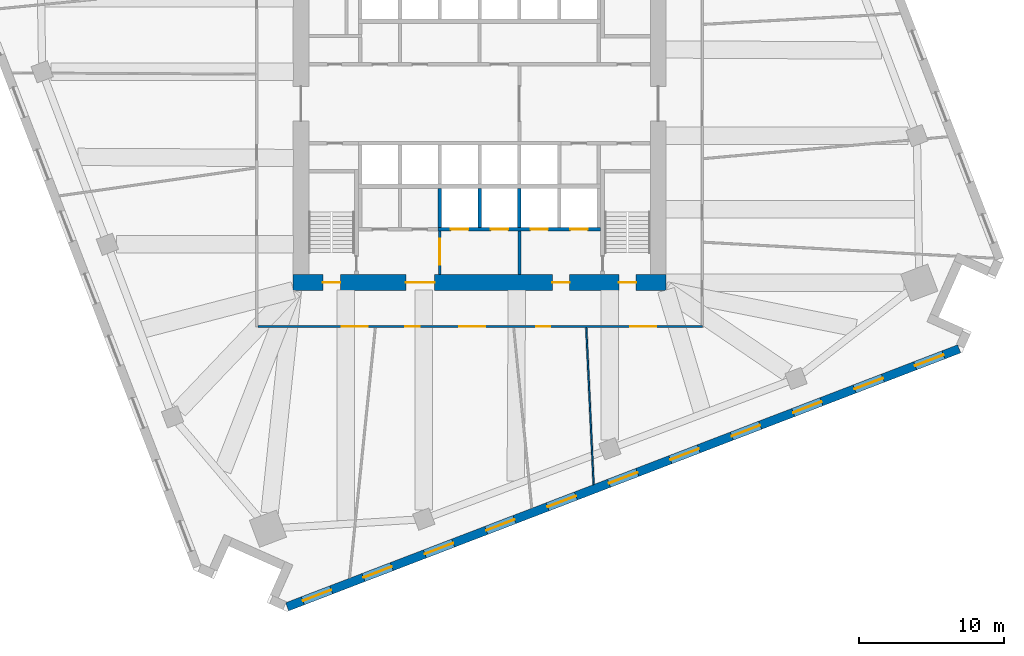
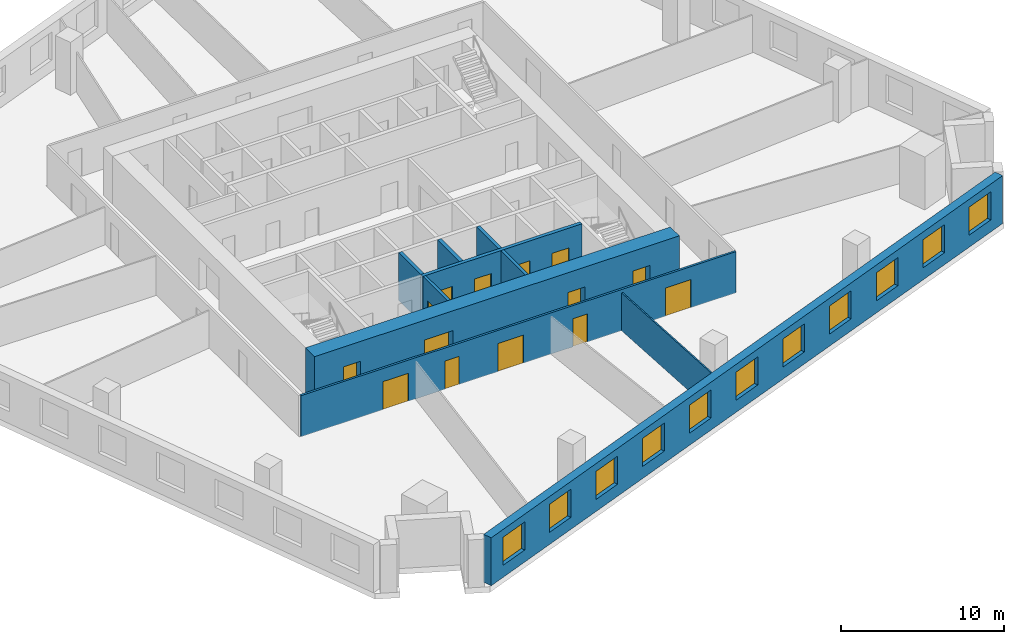
# One storey, part 8 of 14: 14 doors, 11 windows, 10 walls, 25 openings.
"""IFC4 building model written with IfcOpenShell, lengths in metres."""

from ifc_helpers import new_model, si_unit, direction, frame, frame_2d, origin, place, context, subcontext, project, spatial, rectangle, extrude, material, layer, layer_set, type_object, element, fill, save


model = new_model("IFC4")

# Units and contexts
model_context = context("Model", 3, precision=1e-05, world=origin(), true_north=direction((0.0, 1.0)))
body_context = subcontext(model_context, "Body", "Model", "MODEL_VIEW")
ifc_project = project(units=[si_unit("LENGTHUNIT", "METRE"), si_unit("AREAUNIT", "SQUARE_METRE"), si_unit("VOLUMEUNIT", "CUBIC_METRE"), si_unit("PLANEANGLEUNIT", "RADIAN"), si_unit("MASSUNIT", "GRAM", prefix="KILO")], contexts=[model_context])

# Site, building, storey
site_placement = place(None, origin())
site = spatial("IfcSite", under=ifc_project, at=site_placement, CompositionType="ELEMENT")
building_placement = place(site_placement, origin())
building = spatial("IfcBuilding", under=site, at=building_placement, Name="Dilmun Exchange Tower", CompositionType="ELEMENT")
storey_placement = place(building_placement, frame((0.0, 0.0, 102.10009765625)))
storey = spatial("IfcBuildingStorey", under=building, at=storey_placement, Name="L23", CompositionType="ELEMENT", Elevation=102.10009765625)

# Wall, opening, door
ifc_material_1 = material(Name="Concrete C40/50", Category="concrete")
ifc_layer_1 = layer(ifc_material_1, 0.199951171875)
ifc_layer_set_1 = layer_set([ifc_layer_1], Name="Concrete C40/50")
wall_type_1 = type_object("IfcWallType", Name="Core partition wall 200", PredefinedType="PARTITIONING", material=ifc_layer_set_1)
wall_1_placement = place(storey_placement, frame((-2.75, -11.794921875, 0.0), z_axis=(0.0, 0.0, 1.0), x_axis=(0.0, 1.0, 0.0)))
wall_1 = element("IfcWall", 1, at=wall_1_placement, inside=storey, type_object=wall_type_1, Name="L23 core partition wall 01", PredefinedType="PARTITIONING", context=body_context, shape_type="SweptSolid", body=[
    extrude(rectangle(XDim=2.989990234375, YDim=0.199951171875, at=frame_2d((1.4951171875, 0.0))), origin(), (0.0, 0.0, 1.0), 3.579833984375),
])
opening_1_placement = place(wall_1_placement, frame((0.657470703125, 0.0, 0.0)))
opening_1 = element("IfcOpeningElement", 2, at=opening_1_placement, cuts=wall_1, Name="Opening CD5", PredefinedType="OPENING", context=body_context, shape_type="SweptSolid", body=[
    extrude(rectangle(XDim=1.800048828125, YDim=2.10009765625, at=frame_2d((0.89990234375, 1.050048828125))), frame((0.0, 0.10986328125, 0.0), z_axis=(0.0, -1.0, 0.0), x_axis=(1.0, 0.0, 0.0)), (0.0, 0.0, 1.0), 0.219970703125),
])
ifc_material_2 = material(Name="Fire-rated steel door set", Category="steel")
door_type_1 = type_object("IfcDoorType", Name="Stair exit door 1800x2100", OperationType="SINGLE_SWING_LEFT", PredefinedType="DOOR", material=ifc_material_2)
door_1_placement = place(opening_1_placement, origin())
door_1 = element("IfcDoor", 3, at=door_1_placement, inside=storey, type_object=door_type_1, Name="L23 door Service lobby east", OperationType="SINGLE_SWING_LEFT", OverallHeight=2.10009765625, OverallWidth=1.800048828125, PredefinedType="DOOR", context=body_context, shape_type="SweptSolid", body=[
    extrude(rectangle(XDim=1.800048828125, YDim=2.10009765625, at=frame_2d((0.89990234375, 1.050048828125))), frame((0.0, 0.02490234375, 0.0), z_axis=(0.0, -1.0, 0.0), x_axis=(1.0, 0.0, 0.0)), (0.0, 0.0, 1.0), 0.050048828125),
])
fill(opening_1, door_1)

# Wall
wall_2_placement = place(storey_placement, frame((2.75, -11.794921875, 0.0), z_axis=(0.0, 0.0, 1.0), x_axis=(0.0, 1.0, 0.0)))
element("IfcWall", 4, at=wall_2_placement, inside=storey, type_object=wall_type_1, Name="L23 core partition wall 02", PredefinedType="PARTITIONING", context=body_context, shape_type="SweptSolid", body=[
    extrude(rectangle(XDim=2.989990234375, YDim=0.199951171875, at=frame_2d((1.4951171875, 0.0))), origin(), (0.0, 0.0, 1.0), 3.579833984375),
])

# Wall, openings, doors
ifc_material_3 = material(Name="Concrete C80/95", Category="concrete")
ifc_layer_2 = layer(ifc_material_3, 1.10009765625)
ifc_layer_set_2 = layer_set([ifc_layer_2], Name="Concrete C80/95")
wall_type_2 = type_object("IfcWallType", Name="Core shear wall 1100 Concrete C80/95", PredefinedType="SHEAR", material=ifc_layer_set_2)
wall_3_placement = place(storey_placement, frame((-12.89990234375, -12.35009765625, 0.0), z_axis=(0.0, 0.0, 1.0), x_axis=(1.0, 0.0, 0.0)))
wall_3 = element("IfcWall", 5, at=wall_3_placement, inside=storey, type_object=wall_type_2, Name="L23 core shear wall S", PredefinedType="SHEAR", context=body_context, shape_type="SweptSolid", body=[
    extrude(rectangle(XDim=25.7998046875, YDim=1.10009765625, at=frame_2d((12.89990234375, 0.0))), origin(), (0.0, 0.0, 1.0), 3.579833984375),
])
opening_2_placement = place(wall_3_placement, frame((7.800048828125, 0.0, 0.0)))
opening_2 = element("IfcOpeningElement", 6, at=opening_2_placement, cuts=wall_3, Name="Opening CD2", PredefinedType="OPENING", context=body_context, shape_type="SweptSolid", body=[
    extrude(rectangle(XDim=2.0, YDim=2.10009765625, at=frame_2d((1.0, 1.050048828125))), frame((0.0, 0.56005859375, 0.0), z_axis=(0.0, -1.0, 0.0), x_axis=(1.0, 0.0, 0.0)), (0.0, 0.0, 1.0), 1.1201171875),
])
opening_3_placement = place(wall_3_placement, frame((17.925048828125, 0.0, 0.0)))
opening_3 = element("IfcOpeningElement", 7, at=opening_3_placement, cuts=wall_3, Name="Opening CD3", PredefinedType="OPENING", context=body_context, shape_type="SweptSolid", body=[
    extrude(rectangle(XDim=1.199951171875, YDim=2.10009765625, at=frame_2d((0.60009765625, 1.050048828125))), frame((0.0, 0.56005859375, 0.0), z_axis=(0.0, -1.0, 0.0), x_axis=(1.0, 0.0, 0.0)), (0.0, 0.0, 1.0), 1.1201171875),
])
opening_4_placement = place(wall_3_placement, frame((2.074951171875, 0.0, 0.0)))
opening_4 = element("IfcOpeningElement", 8, at=opening_4_placement, cuts=wall_3, Name="Opening CD3", PredefinedType="OPENING", context=body_context, shape_type="SweptSolid", body=[
    extrude(rectangle(XDim=1.199951171875, YDim=2.10009765625, at=frame_2d((0.60009765625, 1.050048828125))), frame((0.0, 0.56005859375, 0.0), z_axis=(0.0, -1.0, 0.0), x_axis=(1.0, 0.0, 0.0)), (0.0, 0.0, 1.0), 1.1201171875),
])
opening_5_placement = place(wall_3_placement, frame((22.52490234375, 0.0, 0.0)))
opening_5 = element("IfcOpeningElement", 9, at=opening_5_placement, cuts=wall_3, Name="Opening CD3", PredefinedType="OPENING", context=body_context, shape_type="SweptSolid", body=[
    extrude(rectangle(XDim=1.199951171875, YDim=2.10009765625, at=frame_2d((0.60009765625, 1.050048828125))), frame((0.0, 0.56005859375, 0.0), z_axis=(0.0, -1.0, 0.0), x_axis=(1.0, 0.0, 0.0)), (0.0, 0.0, 1.0), 1.1201171875),
])
door_type_2 = type_object("IfcDoorType", Name="Core service door 2000x2100", OperationType="DOUBLE_DOOR_DOUBLE_SWING", PredefinedType="DOOR", material=ifc_material_2)
door_2_placement = place(opening_2_placement, origin())
door_2 = element("IfcDoor", 10, at=door_2_placement, inside=storey, type_object=door_type_2, Name="L23 door South service lobby", OperationType="SINGLE_SWING_LEFT", OverallHeight=2.10009765625, OverallWidth=2.0, PredefinedType="DOOR", context=body_context, shape_type="SweptSolid", body=[
    extrude(rectangle(XDim=2.0, YDim=2.10009765625, at=frame_2d((1.0, 1.050048828125))), frame((0.0, 0.02490234375, 0.0), z_axis=(0.0, -1.0, 0.0), x_axis=(1.0, 0.0, 0.0)), (0.0, 0.0, 1.0), 0.050048828125),
])
fill(opening_2, door_2)
door_type_3 = type_object("IfcDoorType", Name="Stair exit door 1200x2100", OperationType="SINGLE_SWING_LEFT", PredefinedType="DOOR", material=ifc_material_2)
door_3_placement = place(opening_3_placement, origin())
door_3 = element("IfcDoor", 11, at=door_3_placement, inside=storey, type_object=door_type_3, Name="L23 door Fire-fighting lobby", OperationType="SINGLE_SWING_LEFT", OverallHeight=2.10009765625, OverallWidth=1.199951171875, PredefinedType="DOOR", context=body_context, shape_type="SweptSolid", body=[
    extrude(rectangle(XDim=1.199951171875, YDim=2.10009765625, at=frame_2d((0.60009765625, 1.050048828125))), frame((0.0, 0.02490234375, 0.0), z_axis=(0.0, -1.0, 0.0), x_axis=(1.0, 0.0, 0.0)), (0.0, 0.0, 1.0), 0.050048828125),
])
fill(opening_3, door_3)
door_4_placement = place(opening_4_placement, origin())
door_4 = element("IfcDoor", 12, at=door_4_placement, inside=storey, type_object=door_type_3, Name="L23 door Stair ST2", OperationType="SINGLE_SWING_LEFT", OverallHeight=2.10009765625, OverallWidth=1.199951171875, PredefinedType="DOOR", context=body_context, shape_type="SweptSolid", body=[
    extrude(rectangle(XDim=1.199951171875, YDim=2.10009765625, at=frame_2d((0.60009765625, 1.050048828125))), frame((0.0, 0.02490234375, 0.0), z_axis=(0.0, -1.0, 0.0), x_axis=(1.0, 0.0, 0.0)), (0.0, 0.0, 1.0), 0.050048828125),
])
fill(opening_4, door_4)
door_5_placement = place(opening_5_placement, origin())
door_5 = element("IfcDoor", 13, at=door_5_placement, inside=storey, type_object=door_type_3, Name="L23 door Stair ST3", OperationType="SINGLE_SWING_LEFT", OverallHeight=2.10009765625, OverallWidth=1.199951171875, PredefinedType="DOOR", context=body_context, shape_type="SweptSolid", body=[
    extrude(rectangle(XDim=1.199951171875, YDim=2.10009765625, at=frame_2d((0.60009765625, 1.050048828125))), frame((0.0, 0.02490234375, 0.0), z_axis=(0.0, -1.0, 0.0), x_axis=(1.0, 0.0, 0.0)), (0.0, 0.0, 1.0), 0.050048828125),
])
fill(opening_5, door_5)

ifc_material_4 = material(Name="Corridor wall 150")
ifc_layer_3 = layer(ifc_material_4, 0.14990234375)
ifc_layer_set_3 = layer_set([ifc_layer_3], Name="Corridor wall 150")
wall_type_3 = type_object("IfcWallType", Name="Corridor wall 150", PredefinedType="PARTITIONING", material=ifc_layer_set_3)
wall_4_placement = place(storey_placement, frame((-15.324951171875, -15.39990234375, 0.0), z_axis=(0.0, 0.0, 1.0), x_axis=(1.0, 0.0, 0.0)))
wall_4 = element("IfcWall", 14, at=wall_4_placement, inside=storey, type_object=wall_type_3, Name="Corridor wall", PredefinedType="PARTITIONING", context=body_context, shape_type="SweptSolid", body=[
    extrude(rectangle(XDim=30.724853515625, YDim=0.14990234375, at=frame_2d((15.3623046875, 0.0))), origin(), (0.0, 0.0, 1.0), 3.079833984375),
])
opening_6_placement = place(wall_4_placement, frame((5.800048828125, 0.0, 0.0)))
opening_6 = element("IfcOpeningElement", 15, at=opening_6_placement, cuts=wall_4, Name="Opening TF23-D05", PredefinedType="OPENING", context=body_context, shape_type="SweptSolid", body=[
    extrude(rectangle(XDim=1.800048828125, YDim=2.10009765625, at=frame_2d((0.89990234375, 1.050048828125))), frame((0.0, 0.0849609375, 0.0), z_axis=(0.0, -1.0, 0.0), x_axis=(1.0, 0.0, 0.0)), (0.0, 0.0, 1.0), 0.169921875),
])
opening_7_placement = place(wall_4_placement, frame((13.92333984375, 0.0, 0.0)))
opening_7 = element("IfcOpeningElement", 16, at=opening_7_placement, cuts=wall_4, Name="Opening TF23-D08", PredefinedType="OPENING", context=body_context, shape_type="SweptSolid", body=[
    extrude(rectangle(XDim=1.800048828125, YDim=2.10009765625, at=frame_2d((0.89990234375, 1.050048828125))), frame((0.0, 0.0849609375, 0.0), z_axis=(0.0, -1.0, 0.0), x_axis=(1.0, 0.0, 0.0)), (0.0, 0.0, 1.0), 0.169921875),
])
opening_8_placement = place(wall_4_placement, frame((10.17333984375, 0.0, 0.0)))
opening_8 = element("IfcOpeningElement", 17, at=opening_8_placement, cuts=wall_4, Name="Opening TF23-D09", PredefinedType="OPENING", context=body_context, shape_type="SweptSolid", body=[
    extrude(rectangle(XDim=1.0, YDim=2.10009765625, at=frame_2d((0.5, 1.050048828125))), frame((0.0, 0.0849609375, 0.0), z_axis=(0.0, -1.0, 0.0), x_axis=(1.0, 0.0, 0.0)), (0.0, 0.0, 1.0), 0.169921875),
])
opening_9_placement = place(wall_4_placement, frame((19.227294921875, 0.0, 0.0)))
opening_9 = element("IfcOpeningElement", 18, at=opening_9_placement, cuts=wall_4, Name="Opening TF23-D12", PredefinedType="OPENING", context=body_context, shape_type="SweptSolid", body=[
    extrude(rectangle(XDim=1.0, YDim=2.10009765625, at=frame_2d((0.5, 1.050048828125))), frame((0.0, 0.0849609375, 0.0), z_axis=(0.0, -1.0, 0.0), x_axis=(1.0, 0.0, 0.0)), (0.0, 0.0, 1.0), 0.169921875),
])
opening_10_placement = place(wall_4_placement, frame((25.74560546875, 0.0, 0.0)))
opening_10 = element("IfcOpeningElement", 19, at=opening_10_placement, cuts=wall_4, Name="Opening TF23-D15", PredefinedType="OPENING", context=body_context, shape_type="SweptSolid", body=[
    extrude(rectangle(XDim=1.800048828125, YDim=2.10009765625, at=frame_2d((0.89990234375, 1.050048828125))), frame((0.0, 0.0849609375, 0.0), z_axis=(0.0, -1.0, 0.0), x_axis=(1.0, 0.0, 0.0)), (0.0, 0.0, 1.0), 0.169921875),
])
ifc_material_5 = material(Name="Fire door 1000 x 2100")
door_type_4 = type_object("IfcDoorType", Name="Fire door 1000 x 2100", OperationType="NOTDEFINED", PredefinedType="DOOR", material=ifc_material_5)
door_6_placement = place(opening_8_placement, frame((1.0, 0.0, 0.0), z_axis=(0.0, 0.0, 1.0), x_axis=(-1.0, 0.0, 0.0)))
door_6 = element("IfcDoor", 20, at=door_6_placement, inside=storey, type_object=door_type_4, Name="Door TF23-D09", OperationType="SINGLE_SWING_RIGHT", OverallHeight=2.10009765625, OverallWidth=1.0, PredefinedType="DOOR", context=body_context, shape_type="SweptSolid", body=[
    extrude(rectangle(XDim=1.0, YDim=2.10009765625, at=frame_2d((0.5, 1.050048828125))), frame((0.0, 0.02490234375, 0.0), z_axis=(0.0, -1.0, 0.0), x_axis=(1.0, 0.0, 0.0)), (0.0, 0.0, 1.0), 0.050048828125),
])
fill(opening_8, door_6)
door_7_placement = place(opening_9_placement, frame((1.0, 0.0, 0.0), z_axis=(0.0, 0.0, 1.0), x_axis=(-1.0, 0.0, 0.0)))
door_7 = element("IfcDoor", 21, at=door_7_placement, inside=storey, type_object=door_type_4, Name="Door TF23-D12", OperationType="SINGLE_SWING_LEFT", OverallHeight=2.10009765625, OverallWidth=1.0, PredefinedType="DOOR", context=body_context, shape_type="SweptSolid", body=[
    extrude(rectangle(XDim=1.0, YDim=2.10009765625, at=frame_2d((0.5, 1.050048828125))), frame((0.0, 0.02490234375, 0.0), z_axis=(0.0, -1.0, 0.0), x_axis=(1.0, 0.0, 0.0)), (0.0, 0.0, 1.0), 0.050048828125),
])
fill(opening_9, door_7)
ifc_material_6 = material(Name="Fire door pair 1800 x 2100")
door_type_5 = type_object("IfcDoorType", Name="Fire door pair 1800 x 2100", OperationType="NOTDEFINED", PredefinedType="DOOR", material=ifc_material_6)
door_8_placement = place(opening_6_placement, frame((1.800048828125, 0.0, 0.0), z_axis=(0.0, 0.0, 1.0), x_axis=(-1.0, 0.0, 0.0)))
door_8 = element("IfcDoor", 22, at=door_8_placement, inside=storey, type_object=door_type_5, Name="Door TF23-D05", OperationType="DOUBLE_DOOR_SINGLE_SWING", OverallHeight=2.10009765625, OverallWidth=1.800048828125, PredefinedType="DOOR", context=body_context, shape_type="SweptSolid", body=[
    extrude(rectangle(XDim=1.800048828125, YDim=2.10009765625, at=frame_2d((0.89990234375, 1.050048828125))), frame((0.0, 0.02490234375, 0.0), z_axis=(0.0, -1.0, 0.0), x_axis=(1.0, 0.0, 0.0)), (0.0, 0.0, 1.0), 0.050048828125),
])
fill(opening_6, door_8)
door_9_placement = place(opening_7_placement, frame((1.800048828125, 0.0, 0.0), z_axis=(0.0, 0.0, 1.0), x_axis=(-1.0, 0.0, 0.0)))
door_9 = element("IfcDoor", 23, at=door_9_placement, inside=storey, type_object=door_type_5, Name="Door TF23-D08", OperationType="DOUBLE_DOOR_SINGLE_SWING", OverallHeight=2.10009765625, OverallWidth=1.800048828125, PredefinedType="DOOR", context=body_context, shape_type="SweptSolid", body=[
    extrude(rectangle(XDim=1.800048828125, YDim=2.10009765625, at=frame_2d((0.89990234375, 1.050048828125))), frame((0.0, 0.02490234375, 0.0), z_axis=(0.0, -1.0, 0.0), x_axis=(1.0, 0.0, 0.0)), (0.0, 0.0, 1.0), 0.050048828125),
])
fill(opening_7, door_9)
door_10_placement = place(opening_10_placement, frame((1.800048828125, 0.0, 0.0), z_axis=(0.0, 0.0, 1.0), x_axis=(-1.0, 0.0, 0.0)))
door_10 = element("IfcDoor", 24, at=door_10_placement, inside=storey, type_object=door_type_5, Name="Door TF23-D15", OperationType="DOUBLE_DOOR_SINGLE_SWING", OverallHeight=2.10009765625, OverallWidth=1.800048828125, PredefinedType="DOOR", context=body_context, shape_type="SweptSolid", body=[
    extrude(rectangle(XDim=1.800048828125, YDim=2.10009765625, at=frame_2d((0.89990234375, 1.050048828125))), frame((0.0, 0.02490234375, 0.0), z_axis=(0.0, -1.0, 0.0), x_axis=(1.0, 0.0, 0.0)), (0.0, 0.0, 1.0), 0.050048828125),
])
fill(opening_10, door_10)

ifc_layer_4 = layer(ifc_material_1, 0.25)
ifc_layer_set_4 = layer_set([ifc_layer_4], Name="Concrete C40/50")
wall_type_4 = type_object("IfcWallType", Name="Lift shaft wall 250", PredefinedType="SOLIDWALL", material=ifc_layer_set_4)
wall_5_placement = place(storey_placement, frame((-2.875, -8.675048828125, 0.0), z_axis=(0.0, 0.0, 1.0), x_axis=(1.0, 0.0, 0.0)))
wall_5 = element("IfcWall", 25, at=wall_5_placement, inside=storey, type_object=wall_type_4, Name="L23 lift shaft front wall S2", PredefinedType="SOLIDWALL", context=body_context, shape_type="SweptSolid", body=[
    extrude(rectangle(XDim=11.25, YDim=0.25, at=frame_2d((5.625, 0.0))), origin(), (0.0, 0.0, 1.0), 3.579833984375),
])
opening_11_placement = place(wall_5_placement, frame((0.89990234375, 0.0, 0.0)))
opening_11 = element("IfcOpeningElement", 26, at=opening_11_placement, cuts=wall_5, Name="Opening LD", PredefinedType="OPENING", context=body_context, shape_type="SweptSolid", body=[
    extrude(rectangle(XDim=1.199951171875, YDim=2.10009765625, at=frame_2d((0.60009765625, 1.050048828125))), frame((0.0, 0.135009765625, 0.0), z_axis=(0.0, -1.0, 0.0), x_axis=(1.0, 0.0, 0.0)), (0.0, 0.0, 1.0), 0.27001953125),
])
opening_12_placement = place(wall_5_placement, frame((3.64990234375, 0.0, 0.0)))
opening_12 = element("IfcOpeningElement", 27, at=opening_12_placement, cuts=wall_5, Name="Opening LD", PredefinedType="OPENING", context=body_context, shape_type="SweptSolid", body=[
    extrude(rectangle(XDim=1.199951171875, YDim=2.10009765625, at=frame_2d((0.60009765625, 1.050048828125))), frame((0.0, 0.135009765625, 0.0), z_axis=(0.0, -1.0, 0.0), x_axis=(1.0, 0.0, 0.0)), (0.0, 0.0, 1.0), 0.27001953125),
])
opening_13_placement = place(wall_5_placement, frame((6.39990234375, 0.0, 0.0)))
opening_13 = element("IfcOpeningElement", 28, at=opening_13_placement, cuts=wall_5, Name="Opening LD", PredefinedType="OPENING", context=body_context, shape_type="SweptSolid", body=[
    extrude(rectangle(XDim=1.199951171875, YDim=2.10009765625, at=frame_2d((0.60009765625, 1.050048828125))), frame((0.0, 0.135009765625, 0.0), z_axis=(0.0, -1.0, 0.0), x_axis=(1.0, 0.0, 0.0)), (0.0, 0.0, 1.0), 0.27001953125),
])
opening_14_placement = place(wall_5_placement, frame((9.14990234375, 0.0, 0.0)))
opening_14 = element("IfcOpeningElement", 29, at=opening_14_placement, cuts=wall_5, Name="Opening LD", PredefinedType="OPENING", context=body_context, shape_type="SweptSolid", body=[
    extrude(rectangle(XDim=1.199951171875, YDim=2.10009765625, at=frame_2d((0.60009765625, 1.050048828125))), frame((0.0, 0.135009765625, 0.0), z_axis=(0.0, -1.0, 0.0), x_axis=(1.0, 0.0, 0.0)), (0.0, 0.0, 1.0), 0.27001953125),
])
door_type_6 = type_object("IfcDoorType", Name="Lift landing door 1200x2100", OperationType="DOUBLE_DOOR_SLIDING", PredefinedType="DOOR", material=ifc_material_2)
door_11_placement = place(opening_11_placement, origin())
door_11 = element("IfcDoor", 30, at=door_11_placement, inside=storey, type_object=door_type_6, Name="L23 landing door SV1", OperationType="DOUBLE_DOOR_SLIDING", OverallHeight=2.10009765625, OverallWidth=1.199951171875, PredefinedType="DOOR", context=body_context, shape_type="SweptSolid", body=[
    extrude(rectangle(XDim=1.199951171875, YDim=2.10009765625, at=frame_2d((0.60009765625, 1.050048828125))), frame((0.0, 0.02490234375, 0.0), z_axis=(0.0, -1.0, 0.0), x_axis=(1.0, 0.0, 0.0)), (0.0, 0.0, 1.0), 0.050048828125),
])
fill(opening_11, door_11)
door_12_placement = place(opening_12_placement, origin())
door_12 = element("IfcDoor", 31, at=door_12_placement, inside=storey, type_object=door_type_6, Name="L23 landing door SV2", OperationType="DOUBLE_DOOR_SLIDING", OverallHeight=2.10009765625, OverallWidth=1.199951171875, PredefinedType="DOOR", context=body_context, shape_type="SweptSolid", body=[
    extrude(rectangle(XDim=1.199951171875, YDim=2.10009765625, at=frame_2d((0.60009765625, 1.050048828125))), frame((0.0, 0.02490234375, 0.0), z_axis=(0.0, -1.0, 0.0), x_axis=(1.0, 0.0, 0.0)), (0.0, 0.0, 1.0), 0.050048828125),
])
fill(opening_12, door_12)
door_13_placement = place(opening_13_placement, origin())
door_13 = element("IfcDoor", 32, at=door_13_placement, inside=storey, type_object=door_type_6, Name="L23 landing door FF1", OperationType="DOUBLE_DOOR_SLIDING", OverallHeight=2.10009765625, OverallWidth=1.199951171875, PredefinedType="DOOR", context=body_context, shape_type="SweptSolid", body=[
    extrude(rectangle(XDim=1.199951171875, YDim=2.10009765625, at=frame_2d((0.60009765625, 1.050048828125))), frame((0.0, 0.02490234375, 0.0), z_axis=(0.0, -1.0, 0.0), x_axis=(1.0, 0.0, 0.0)), (0.0, 0.0, 1.0), 0.050048828125),
])
fill(opening_13, door_13)
door_14_placement = place(opening_14_placement, origin())
door_14 = element("IfcDoor", 33, at=door_14_placement, inside=storey, type_object=door_type_6, Name="L23 landing door FF2", OperationType="DOUBLE_DOOR_SLIDING", OverallHeight=2.10009765625, OverallWidth=1.199951171875, PredefinedType="DOOR", context=body_context, shape_type="SweptSolid", body=[
    extrude(rectangle(XDim=1.199951171875, YDim=2.10009765625, at=frame_2d((0.60009765625, 1.050048828125))), frame((0.0, 0.02490234375, 0.0), z_axis=(0.0, -1.0, 0.0), x_axis=(1.0, 0.0, 0.0)), (0.0, 0.0, 1.0), 0.050048828125),
])
fill(opening_14, door_14)

# Walls
for number, where, z_axis, x_axis, name in (
    (34, (-2.75, -8.550048828125, 0.0), (0.0, 0.0, 1.0), (0.0, 1.0, 0.0), "L23 lift shaft divider S22"),
    (35, (0.0, -8.550048828125, 0.0), (0.0, 0.0, 1.0), (0.0, 1.0, 0.0), "L23 lift shaft divider S23"),
    (36, (2.75, -8.550048828125, 0.0), (0.0, 0.0, 1.0), (0.0, 1.0, 0.0), "L23 lift shaft divider S24"),
):
    element("IfcWall", number, at=place(storey_placement, frame(where, z_axis=z_axis, x_axis=x_axis)), inside=storey, type_object=wall_type_4, Name=name, PredefinedType="SOLIDWALL", context=body_context, shape_type="SweptSolid", body=[
        extrude(rectangle(XDim=2.699951171875, YDim=0.25, at=frame_2d((1.35009765625, 0.0))), origin(), (0.0, 0.0, 1.0), 3.579833984375),
    ])
ifc_material_7 = material(Name="Partition 100")
ifc_layer_5 = layer(ifc_material_7, 0.10009765625)
ifc_layer_set_5 = layer_set([ifc_layer_5], Name="Partition 100")
wall_type_5 = type_object("IfcWallType", Name="Partition 100", PredefinedType="PARTITIONING", material=ifc_layer_set_5)
wall_6_placement = place(storey_placement, frame((7.37451171875, -15.477294921875, 0.0), z_axis=(0.0, 0.0, 1.0), x_axis=(0.046868466971, -0.998901069578, 0.0)))
element("IfcWall", 37, at=wall_6_placement, inside=storey, type_object=wall_type_5, Name="Partition", PredefinedType="PARTITIONING", context=body_context, shape_type="SweptSolid", body=[
    extrude(rectangle(XDim=10.855712890625, YDim=0.10009765625, at=frame_2d((5.427734375, 0.0))), origin(), (0.0, 0.0, 1.0), 2.829833984375),
])

# Wall, openings, windows
ifc_material_8 = material(Name="Precast concrete C50/60", Category="concrete")
ifc_layer_6 = layer(ifc_material_8, 0.60009765625)
ifc_layer_set_6 = layer_set([ifc_layer_6], Name="Precast concrete C50/60")
wall_type_6 = type_object("IfcWallType", Name="Precast stone-clad wall 600", PredefinedType="STANDARD", material=ifc_layer_set_6)
wall_7_placement = place(storey_placement, frame((-13.296630859375, -34.77490234375, 0.0), z_axis=(0.0, 0.0, 1.0), x_axis=(0.933580395424, 0.358368030494, 0.0)))
wall_7 = element("IfcWall", 38, at=wall_7_placement, inside=storey, type_object=wall_type_6, Name="Facade wall L23-15", PredefinedType="STANDARD", context=body_context, shape_type="SweptSolid", body=[
    extrude(rectangle(XDim=49.75146484375, YDim=0.60009765625, at=frame_2d((24.875732421875, 0.0))), origin(), (0.0, 0.0, 1.0), 3.579833984375),
])
opening_15_placement = place(wall_7_placement, frame((1.16064453125, 0.0, 0.89990234375)))
opening_15 = element("IfcOpeningElement", 39, at=opening_15_placement, cuts=wall_7, Name="Opening W210-210", PredefinedType="OPENING", context=body_context, shape_type="SweptSolid", body=[
    extrude(rectangle(XDim=2.10009765625, YDim=2.10009765625, at=frame_2d((1.050048828125, 1.050048828125))), frame((0.0, 0.31005859375, 0.0), z_axis=(0.0, -1.0, 0.0), x_axis=(1.0, 0.0, 0.0)), (0.0, 0.0, 1.0), 0.6201171875),
])
opening_16_placement = place(wall_7_placement, frame((5.643798828125, 0.0, 0.89990234375)))
opening_16 = element("IfcOpeningElement", 40, at=opening_16_placement, cuts=wall_7, Name="Opening W210-210", PredefinedType="OPENING", context=body_context, shape_type="SweptSolid", body=[
    extrude(rectangle(XDim=2.10009765625, YDim=2.10009765625, at=frame_2d((1.050048828125, 1.050048828125))), frame((0.0, 0.31005859375, 0.0), z_axis=(0.0, -1.0, 0.0), x_axis=(1.0, 0.0, 0.0)), (0.0, 0.0, 1.0), 0.6201171875),
])
opening_17_placement = place(wall_7_placement, frame((10.189453125, 0.0, 0.89990234375)))
opening_17 = element("IfcOpeningElement", 41, at=opening_17_placement, cuts=wall_7, Name="Opening W210-210", PredefinedType="OPENING", context=body_context, shape_type="SweptSolid", body=[
    extrude(rectangle(XDim=2.10009765625, YDim=2.10009765625, at=frame_2d((1.050048828125, 1.050048828125))), frame((0.0, 0.31005859375, 0.0), z_axis=(0.0, -1.0, 0.0), x_axis=(1.0, 0.0, 0.0)), (0.0, 0.0, 1.0), 0.6201171875),
])
opening_18_placement = place(wall_7_placement, frame((14.73486328125, 0.0, 0.89990234375)))
opening_18 = element("IfcOpeningElement", 42, at=opening_18_placement, cuts=wall_7, Name="Opening W210-210", PredefinedType="OPENING", context=body_context, shape_type="SweptSolid", body=[
    extrude(rectangle(XDim=2.10009765625, YDim=2.10009765625, at=frame_2d((1.050048828125, 1.050048828125))), frame((0.0, 0.31005859375, 0.0), z_axis=(0.0, -1.0, 0.0), x_axis=(1.0, 0.0, 0.0)), (0.0, 0.0, 1.0), 0.6201171875),
])
opening_19_placement = place(wall_7_placement, frame((19.2802734375, 0.0, 0.89990234375)))
opening_19 = element("IfcOpeningElement", 43, at=opening_19_placement, cuts=wall_7, Name="Opening W210-210", PredefinedType="OPENING", context=body_context, shape_type="SweptSolid", body=[
    extrude(rectangle(XDim=2.10009765625, YDim=2.10009765625, at=frame_2d((1.050048828125, 1.050048828125))), frame((0.0, 0.31005859375, 0.0), z_axis=(0.0, -1.0, 0.0), x_axis=(1.0, 0.0, 0.0)), (0.0, 0.0, 1.0), 0.6201171875),
])
opening_20_placement = place(wall_7_placement, frame((23.82568359375, 0.0, 0.89990234375)))
opening_20 = element("IfcOpeningElement", 44, at=opening_20_placement, cuts=wall_7, Name="Opening W210-210", PredefinedType="OPENING", context=body_context, shape_type="SweptSolid", body=[
    extrude(rectangle(XDim=2.10009765625, YDim=2.10009765625, at=frame_2d((1.050048828125, 1.050048828125))), frame((0.0, 0.31005859375, 0.0), z_axis=(0.0, -1.0, 0.0), x_axis=(1.0, 0.0, 0.0)), (0.0, 0.0, 1.0), 0.6201171875),
])
opening_21_placement = place(wall_7_placement, frame((28.37109375, 0.0, 0.89990234375)))
opening_21 = element("IfcOpeningElement", 45, at=opening_21_placement, cuts=wall_7, Name="Opening W210-210", PredefinedType="OPENING", context=body_context, shape_type="SweptSolid", body=[
    extrude(rectangle(XDim=2.10009765625, YDim=2.10009765625, at=frame_2d((1.050048828125, 1.050048828125))), frame((0.0, 0.31005859375, 0.0), z_axis=(0.0, -1.0, 0.0), x_axis=(1.0, 0.0, 0.0)), (0.0, 0.0, 1.0), 0.6201171875),
])
opening_22_placement = place(wall_7_placement, frame((32.91650390625, 0.0, 0.89990234375)))
opening_22 = element("IfcOpeningElement", 46, at=opening_22_placement, cuts=wall_7, Name="Opening W210-210", PredefinedType="OPENING", context=body_context, shape_type="SweptSolid", body=[
    extrude(rectangle(XDim=2.10009765625, YDim=2.10009765625, at=frame_2d((1.050048828125, 1.050048828125))), frame((0.0, 0.31005859375, 0.0), z_axis=(0.0, -1.0, 0.0), x_axis=(1.0, 0.0, 0.0)), (0.0, 0.0, 1.0), 0.6201171875),
])
opening_23_placement = place(wall_7_placement, frame((37.462158203125, 0.0, 0.89990234375)))
opening_23 = element("IfcOpeningElement", 47, at=opening_23_placement, cuts=wall_7, Name="Opening W210-210", PredefinedType="OPENING", context=body_context, shape_type="SweptSolid", body=[
    extrude(rectangle(XDim=2.10009765625, YDim=2.10009765625, at=frame_2d((1.050048828125, 1.050048828125))), frame((0.0, 0.31005859375, 0.0), z_axis=(0.0, -1.0, 0.0), x_axis=(1.0, 0.0, 0.0)), (0.0, 0.0, 1.0), 0.6201171875),
])
opening_24_placement = place(wall_7_placement, frame((42.007568359375, 0.0, 0.89990234375)))
opening_24 = element("IfcOpeningElement", 48, at=opening_24_placement, cuts=wall_7, Name="Opening W210-210", PredefinedType="OPENING", context=body_context, shape_type="SweptSolid", body=[
    extrude(rectangle(XDim=2.10009765625, YDim=2.10009765625, at=frame_2d((1.050048828125, 1.050048828125))), frame((0.0, 0.31005859375, 0.0), z_axis=(0.0, -1.0, 0.0), x_axis=(1.0, 0.0, 0.0)), (0.0, 0.0, 1.0), 0.6201171875),
])
opening_25_placement = place(wall_7_placement, frame((46.490966796875, 0.0, 0.89990234375)))
opening_25 = element("IfcOpeningElement", 49, at=opening_25_placement, cuts=wall_7, Name="Opening W210-210", PredefinedType="OPENING", context=body_context, shape_type="SweptSolid", body=[
    extrude(rectangle(XDim=2.10009765625, YDim=2.10009765625, at=frame_2d((1.050048828125, 1.050048828125))), frame((0.0, 0.31005859375, 0.0), z_axis=(0.0, -1.0, 0.0), x_axis=(1.0, 0.0, 0.0)), (0.0, 0.0, 1.0), 0.6201171875),
])
ifc_material_9 = material(Name="Clear low-emissivity glass in aluminium frame", Category="aluminium")
window_type = type_object("IfcWindowType", Name="Punched window 2100 x 2100", PartitioningType="DOUBLE_PANEL_VERTICAL", PredefinedType="WINDOW", material=ifc_material_9)
window_1_placement = place(opening_15_placement, origin())
window_1 = element("IfcWindow", 50, at=window_1_placement, inside=storey, type_object=window_type, Name="Window 16.1", OverallHeight=2.10009765625, OverallWidth=2.10009765625, PartitioningType="SINGLE_PANEL", PredefinedType="WINDOW", context=body_context, shape_type="SweptSolid", body=[
    extrude(rectangle(XDim=2.10009765625, YDim=2.10009765625, at=frame_2d((1.050048828125, 1.050048828125))), frame((0.0, 0.030029296875, 0.0), z_axis=(0.0, -1.0, 0.0), x_axis=(1.0, 0.0, 0.0)), (0.0, 0.0, 1.0), 0.06005859375),
])
fill(opening_15, window_1)
window_2_placement = place(opening_16_placement, origin())
window_2 = element("IfcWindow", 51, at=window_2_placement, inside=storey, type_object=window_type, Name="Window 16.2", OverallHeight=2.10009765625, OverallWidth=2.10009765625, PartitioningType="SINGLE_PANEL", PredefinedType="WINDOW", context=body_context, shape_type="SweptSolid", body=[
    extrude(rectangle(XDim=2.10009765625, YDim=2.10009765625, at=frame_2d((1.050048828125, 1.050048828125))), frame((0.0, 0.030029296875, 0.0), z_axis=(0.0, -1.0, 0.0), x_axis=(1.0, 0.0, 0.0)), (0.0, 0.0, 1.0), 0.06005859375),
])
fill(opening_16, window_2)
window_3_placement = place(opening_17_placement, origin())
window_3 = element("IfcWindow", 52, at=window_3_placement, inside=storey, type_object=window_type, Name="Window 16.3", OverallHeight=2.10009765625, OverallWidth=2.10009765625, PartitioningType="SINGLE_PANEL", PredefinedType="WINDOW", context=body_context, shape_type="SweptSolid", body=[
    extrude(rectangle(XDim=2.10009765625, YDim=2.10009765625, at=frame_2d((1.050048828125, 1.050048828125))), frame((0.0, 0.030029296875, 0.0), z_axis=(0.0, -1.0, 0.0), x_axis=(1.0, 0.0, 0.0)), (0.0, 0.0, 1.0), 0.06005859375),
])
fill(opening_17, window_3)
window_4_placement = place(opening_18_placement, origin())
window_4 = element("IfcWindow", 53, at=window_4_placement, inside=storey, type_object=window_type, Name="Window 16.4", OverallHeight=2.10009765625, OverallWidth=2.10009765625, PartitioningType="SINGLE_PANEL", PredefinedType="WINDOW", context=body_context, shape_type="SweptSolid", body=[
    extrude(rectangle(XDim=2.10009765625, YDim=2.10009765625, at=frame_2d((1.050048828125, 1.050048828125))), frame((0.0, 0.030029296875, 0.0), z_axis=(0.0, -1.0, 0.0), x_axis=(1.0, 0.0, 0.0)), (0.0, 0.0, 1.0), 0.06005859375),
])
fill(opening_18, window_4)
window_5_placement = place(opening_19_placement, origin())
window_5 = element("IfcWindow", 54, at=window_5_placement, inside=storey, type_object=window_type, Name="Window 16.5", OverallHeight=2.10009765625, OverallWidth=2.10009765625, PartitioningType="SINGLE_PANEL", PredefinedType="WINDOW", context=body_context, shape_type="SweptSolid", body=[
    extrude(rectangle(XDim=2.10009765625, YDim=2.10009765625, at=frame_2d((1.050048828125, 1.050048828125))), frame((0.0, 0.030029296875, 0.0), z_axis=(0.0, -1.0, 0.0), x_axis=(1.0, 0.0, 0.0)), (0.0, 0.0, 1.0), 0.06005859375),
])
fill(opening_19, window_5)
window_6_placement = place(opening_20_placement, origin())
window_6 = element("IfcWindow", 55, at=window_6_placement, inside=storey, type_object=window_type, Name="Window 16.6", OverallHeight=2.10009765625, OverallWidth=2.10009765625, PartitioningType="SINGLE_PANEL", PredefinedType="WINDOW", context=body_context, shape_type="SweptSolid", body=[
    extrude(rectangle(XDim=2.10009765625, YDim=2.10009765625, at=frame_2d((1.050048828125, 1.050048828125))), frame((0.0, 0.030029296875, 0.0), z_axis=(0.0, -1.0, 0.0), x_axis=(1.0, 0.0, 0.0)), (0.0, 0.0, 1.0), 0.06005859375),
])
fill(opening_20, window_6)
window_7_placement = place(opening_21_placement, origin())
window_7 = element("IfcWindow", 56, at=window_7_placement, inside=storey, type_object=window_type, Name="Window 16.7", OverallHeight=2.10009765625, OverallWidth=2.10009765625, PartitioningType="SINGLE_PANEL", PredefinedType="WINDOW", context=body_context, shape_type="SweptSolid", body=[
    extrude(rectangle(XDim=2.10009765625, YDim=2.10009765625, at=frame_2d((1.050048828125, 1.050048828125))), frame((0.0, 0.030029296875, 0.0), z_axis=(0.0, -1.0, 0.0), x_axis=(1.0, 0.0, 0.0)), (0.0, 0.0, 1.0), 0.06005859375),
])
fill(opening_21, window_7)
window_8_placement = place(opening_22_placement, origin())
window_8 = element("IfcWindow", 57, at=window_8_placement, inside=storey, type_object=window_type, Name="Window 16.8", OverallHeight=2.10009765625, OverallWidth=2.10009765625, PartitioningType="SINGLE_PANEL", PredefinedType="WINDOW", context=body_context, shape_type="SweptSolid", body=[
    extrude(rectangle(XDim=2.10009765625, YDim=2.10009765625, at=frame_2d((1.050048828125, 1.050048828125))), frame((0.0, 0.030029296875, 0.0), z_axis=(0.0, -1.0, 0.0), x_axis=(1.0, 0.0, 0.0)), (0.0, 0.0, 1.0), 0.06005859375),
])
fill(opening_22, window_8)
window_9_placement = place(opening_23_placement, origin())
window_9 = element("IfcWindow", 58, at=window_9_placement, inside=storey, type_object=window_type, Name="Window 16.9", OverallHeight=2.10009765625, OverallWidth=2.10009765625, PartitioningType="SINGLE_PANEL", PredefinedType="WINDOW", context=body_context, shape_type="SweptSolid", body=[
    extrude(rectangle(XDim=2.10009765625, YDim=2.10009765625, at=frame_2d((1.050048828125, 1.050048828125))), frame((0.0, 0.030029296875, 0.0), z_axis=(0.0, -1.0, 0.0), x_axis=(1.0, 0.0, 0.0)), (0.0, 0.0, 1.0), 0.06005859375),
])
fill(opening_23, window_9)
window_10_placement = place(opening_24_placement, origin())
window_10 = element("IfcWindow", 59, at=window_10_placement, inside=storey, type_object=window_type, Name="Window 16.10", OverallHeight=2.10009765625, OverallWidth=2.10009765625, PartitioningType="SINGLE_PANEL", PredefinedType="WINDOW", context=body_context, shape_type="SweptSolid", body=[
    extrude(rectangle(XDim=2.10009765625, YDim=2.10009765625, at=frame_2d((1.050048828125, 1.050048828125))), frame((0.0, 0.030029296875, 0.0), z_axis=(0.0, -1.0, 0.0), x_axis=(1.0, 0.0, 0.0)), (0.0, 0.0, 1.0), 0.06005859375),
])
fill(opening_24, window_10)
window_11_placement = place(opening_25_placement, origin())
window_11 = element("IfcWindow", 60, at=window_11_placement, inside=storey, type_object=window_type, Name="Window 16.11", OverallHeight=2.10009765625, OverallWidth=2.10009765625, PartitioningType="SINGLE_PANEL", PredefinedType="WINDOW", context=body_context, shape_type="SweptSolid", body=[
    extrude(rectangle(XDim=2.10009765625, YDim=2.10009765625, at=frame_2d((1.050048828125, 1.050048828125))), frame((0.0, 0.030029296875, 0.0), z_axis=(0.0, -1.0, 0.0), x_axis=(1.0, 0.0, 0.0)), (0.0, 0.0, 1.0), 0.06005859375),
])
fill(opening_25, window_11)

save(model, "model.ifc")
